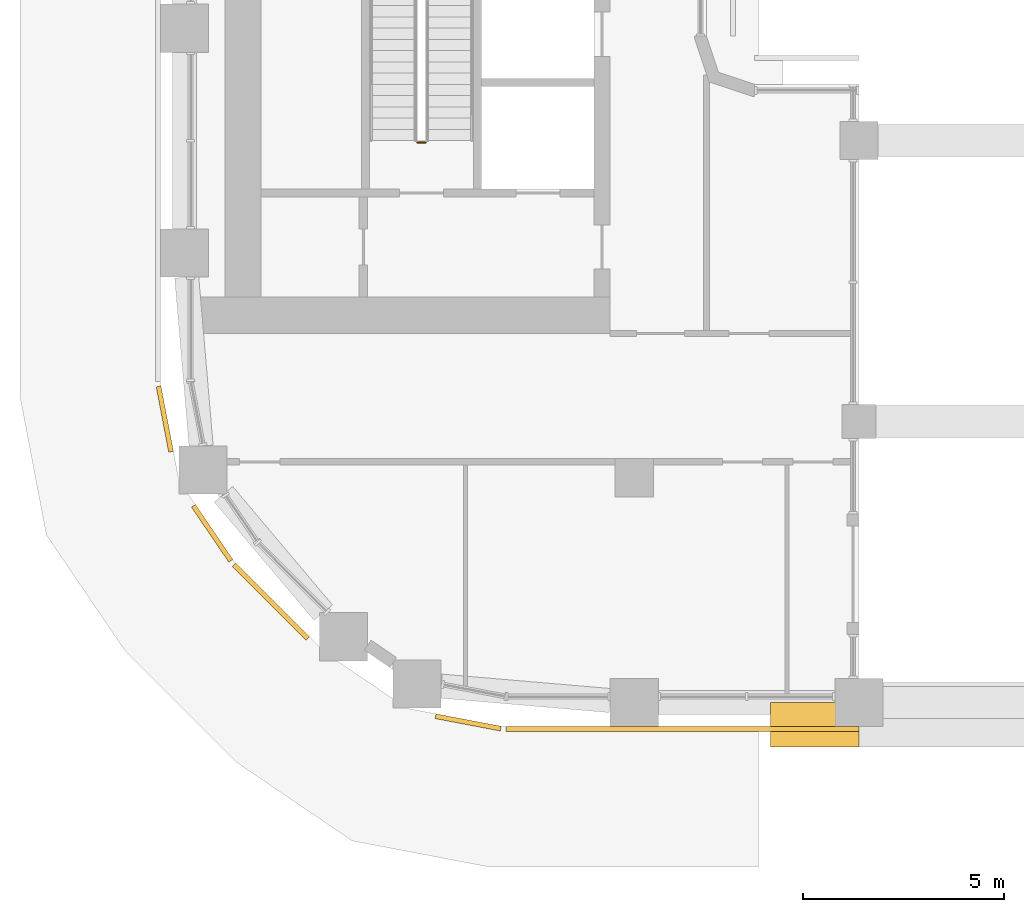
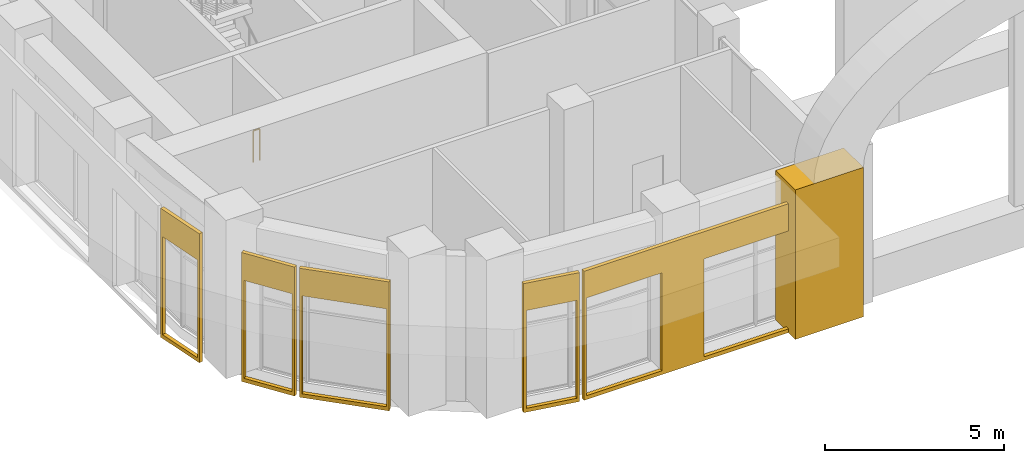
# One storey, part 19 of 28: 6 coverings, 1 railing.
"""IFC4 building model written with IfcOpenShell, lengths in metres."""

from ifc_helpers import new_model, si_unit, direction, frame, origin, origin_2d, place, context, subcontext, project, spatial, polyline, rectangle, circle, outline, extrude, material, layer, layer_set, type_object, element, save


model = new_model("IFC4")

# Units and contexts
model_context = context("Model", 3, precision=1e-05, world=origin(), true_north=direction((0.0, 1.0)))
body_context = subcontext(model_context, "Body", "Model", "MODEL_VIEW")
ifc_project = project(units=[si_unit("LENGTHUNIT", "METRE"), si_unit("AREAUNIT", "SQUARE_METRE"), si_unit("VOLUMEUNIT", "CUBIC_METRE"), si_unit("PLANEANGLEUNIT", "RADIAN"), si_unit("MASSUNIT", "GRAM", prefix="KILO")], contexts=[model_context])

# Site, building, storey
site_placement = place(None, origin())
site = spatial("IfcSite", under=ifc_project, at=site_placement, CompositionType="ELEMENT")
building_placement = place(site_placement, origin())
building = spatial("IfcBuilding", under=site, at=building_placement, Name="Kiln Ring Residences", CompositionType="ELEMENT")
storey_placement = place(building_placement, frame((0.0, 0.0, 125.300048828125)))
storey = spatial("IfcBuildingStorey", under=building, at=storey_placement, Name="L32", CompositionType="ELEMENT", Elevation=125.300048828125)

# Railing
ifc_material_1 = material(Name="Stainless steel", Category="steel")
railing_type = type_object("IfcRailingType", Name="CORE-STAIR-GUARD", PredefinedType="GUARDRAIL", material=ifc_material_1)
railing_placement = place(storey_placement, frame((-22.0, -8.449951171875, 0.0)))
element("IfcRailing", 1, at=railing_placement, inside=storey, type_object=railing_type, Name="L32 W-STS stair guard 4", PredefinedType="GUARDRAIL", context=body_context, shape_type="SweptSolid", body=[
    extrude(circle(Radius=0.02392578125, at=origin_2d()), frame((0.0, 0.0, 1.076171875), z_axis=(-1.0, 0.0, 0.0), x_axis=(0.0, -1.0, 0.0)), (0.0, 0.0, 1.0), 0.199951171875),
    extrude(circle(Radius=0.02099609375, at=origin_2d()), origin(), (0.0, 0.0, 1.0), 1.052001953125),
    extrude(circle(Radius=0.02099609375, at=origin_2d()), frame((-0.199951171875, 0.0, 0.0)), (0.0, 0.0, 1.0), 1.052001953125),
])

# Coverings
ifc_material_2 = material(Name="Concrete C35/45, exposed aggregate finish", Category="concrete")
covering_type_1 = type_object("IfcCoveringType", Name="PORTAL JAMB 1400 x 700", PredefinedType="CLADDING", material=ifc_material_2)
covering_1_placement = place(storey_placement, frame((-12.300048828125, -22.949951171875, 0.0), z_axis=(0.0, 0.0, 1.0), x_axis=(1.0, 0.0, 0.0)))
element("IfcCovering", 2, at=covering_1_placement, inside=storey, type_object=covering_type_1, Name="PORTAL JAMB L32", PredefinedType="CLADDING", context=body_context, shape_type="SweptSolid", body=[
    extrude(rectangle(XDim=2.199951171875, YDim=1.10009765625, at=origin_2d()), origin(), (0.0, 0.0, 1.0), 5.10009765625),
])
ifc_material_3 = material(Name="Brick masonry, dark clay brick", Category="masonry")
ifc_layer = layer(ifc_material_3, 0.1201171875)
ifc_layer_set = layer_set([ifc_layer], Name="RAINSCREEN PANEL 120")
covering_type_2 = type_object("IfcCoveringType", Name="RAINSCREEN PANEL 120", PredefinedType="CLADDING", material=ifc_layer_set)
covering_2_placement = place(storey_placement, frame((-28.648193359375, -14.523681640625, 0.0), z_axis=(0.0, 0.0, 1.0), x_axis=(0.187376303559, -0.98228820662, 0.0)))
element("IfcCovering", 3, at=covering_2_placement, inside=storey, type_object=covering_type_2, Name="RAINSCREEN L32", PredefinedType="CLADDING", context=body_context, shape_type="SweptSolid", body=[
    extrude(outline(polyline([(0.0, 0.0), (1.65625, 0.0), (1.65625, 4.39990234375), (0.0, 4.39990234375), (0.0, 0.0)]), holes=[polyline([(0.080078125, 3.469970703125), (0.080078125, 0.1298828125), (1.576171875, 0.1298828125), (1.576171875, 3.469970703125), (0.080078125, 3.469970703125)])]), frame((0.0, 0.06005859375, 0.0), z_axis=(0.0, -1.0, 0.0), x_axis=(1.0, 0.0, 0.0)), (0.0, 0.0, 1.0), 0.1201171875),
])
covering_3_placement = place(storey_placement, frame((-27.77978515625, -17.498291015625, 0.0), z_axis=(0.0, 0.0, 1.0), x_axis=(0.562128550268, -0.827049873329, 0.0)))
element("IfcCovering", 4, at=covering_3_placement, inside=storey, type_object=covering_type_2, Name="RAINSCREEN L32", PredefinedType="CLADDING", context=body_context, shape_type="SweptSolid", body=[
    extrude(outline(polyline([(0.0, 0.0), (1.656005859375, 0.0), (1.656005859375, 4.39990234375), (0.0, 4.39990234375), (0.0, 0.0)]), holes=[polyline([(0.080078125, 3.469970703125), (0.080078125, 0.1298828125), (1.576171875, 0.1298828125), (1.576171875, 3.469970703125), (0.080078125, 3.469970703125)])]), frame((0.0, 0.06005859375, 0.0), z_axis=(0.0, -1.0, 0.0), x_axis=(1.0, 0.0, 0.0)), (0.0, 0.0, 1.0), 0.1201171875),
])
covering_4_placement = place(storey_placement, frame((-26.76953125, -18.9638671875, 0.0), z_axis=(0.0, 0.0, 1.0), x_axis=(0.707106781187, -0.707106781187, 0.0)))
element("IfcCovering", 5, at=covering_4_placement, inside=storey, type_object=covering_type_2, Name="RAINSCREEN L32", PredefinedType="CLADDING", context=body_context, shape_type="SweptSolid", body=[
    extrude(outline(polyline([(0.0, 0.0), (2.60009765625, 0.0), (2.60009765625, 4.39990234375), (0.0, 4.39990234375), (0.0, 0.0)]), holes=[polyline([(0.080078125, 3.469970703125), (0.080078125, 0.1298828125), (2.52001953125, 0.1298828125), (2.52001953125, 3.469970703125), (0.080078125, 3.469970703125)])]), frame((0.0, 0.06005859375, 0.0), z_axis=(0.0, -1.0, 0.0), x_axis=(1.0, 0.0, 0.0)), (0.0, 0.0, 1.0), 0.1201171875),
])
covering_5_placement = place(storey_placement, frame((-21.75048828125, -22.738037109375, 0.0), z_axis=(0.0, 0.0, 1.0), x_axis=(0.98228820662, -0.187376303559, 0.0)))
element("IfcCovering", 6, at=covering_5_placement, inside=storey, type_object=covering_type_2, Name="RAINSCREEN L32", PredefinedType="CLADDING", context=body_context, shape_type="SweptSolid", body=[
    extrude(outline(polyline([(0.0, 0.0), (1.65625, 0.0), (1.65625, 4.39990234375), (0.0, 4.39990234375), (0.0, 0.0)]), holes=[polyline([(0.080078125, 3.469970703125), (0.080078125, 0.1298828125), (1.576171875, 0.1298828125), (1.576171875, 3.469970703125), (0.080078125, 3.469970703125)])]), frame((0.0, 0.06005859375, 0.0), z_axis=(0.0, -1.0, 0.0), x_axis=(1.0, 0.0, 0.0)), (0.0, 0.0, 1.0), 0.1201171875),
])
covering_6_placement = place(storey_placement, frame((-20.0, -23.06005859375, 0.0), z_axis=(0.0, 0.0, 1.0), x_axis=(1.0, 0.0, 0.0)))
element("IfcCovering", 7, at=covering_6_placement, inside=storey, type_object=covering_type_2, Name="RAINSCREEN L32", PredefinedType="CLADDING", context=body_context, shape_type="SweptSolid", body=[
    extrude(outline(polyline([(0.0, 0.0), (8.800048828125, 0.0), (8.800048828125, 4.39990234375), (0.0, 4.39990234375), (0.0, 0.0)]), holes=[polyline([(2.52001953125, 3.469970703125), (0.080078125, 3.469970703125), (0.080078125, 0.1298828125), (2.52001953125, 0.1298828125), (2.52001953125, 3.469970703125)]), polyline([(8.1201171875, 3.469970703125), (3.8798828125, 3.469970703125), (3.8798828125, 0.1298828125), (8.1201171875, 0.1298828125), (8.1201171875, 3.469970703125)])]), frame((0.0, 0.06005859375, 0.0), z_axis=(0.0, -1.0, 0.0), x_axis=(1.0, 0.0, 0.0)), (0.0, 0.0, 1.0), 0.1201171875),
])

save(model, "model.ifc")
